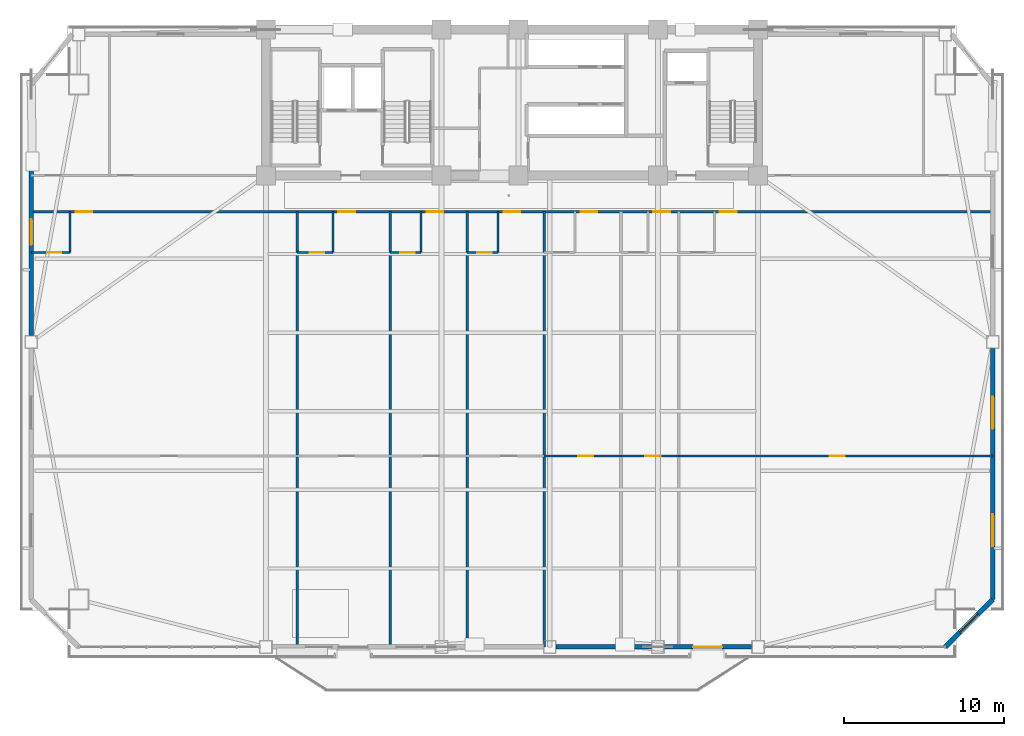
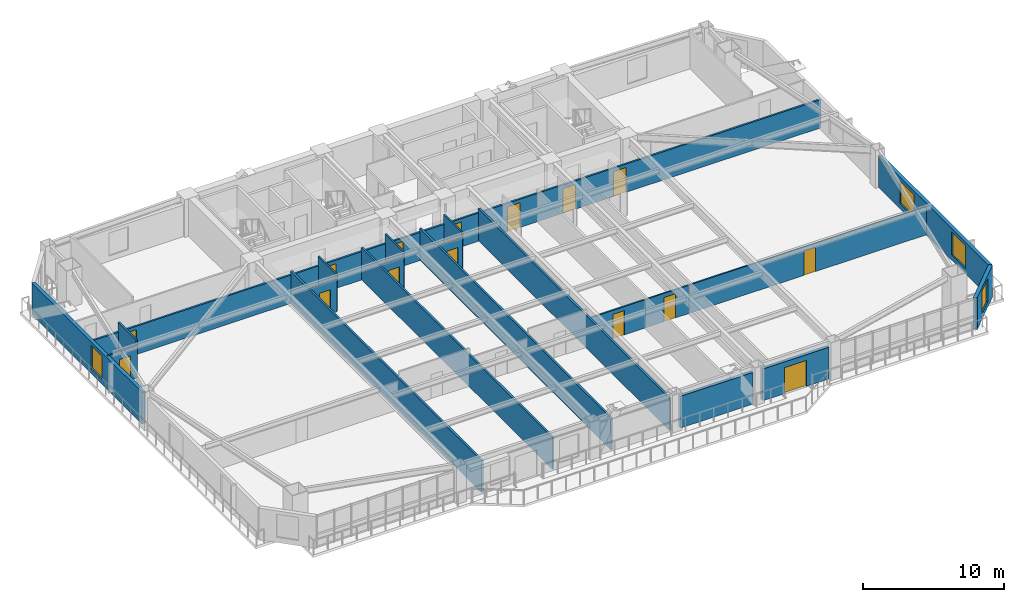
# One storey, part 8 of 17: 21 walls, 15 doors, 4 windows, 19 openings.
"""IFC4 building model written with IfcOpenShell, lengths in metres."""

from ifc_helpers import new_model, si_unit, direction, frame, frame_2d, origin, place, context, subcontext, project, spatial, rectangle, extrude, source, transform, mapped, material, layer, layer_set, type_object, element, fill, save


model = new_model("IFC4")

# Units and contexts
model_context = context("Model", 3, precision=1e-05, world=origin(), true_north=direction((0.0, 1.0)))
body_context = subcontext(model_context, "Body", "Model", "MODEL_VIEW")
ifc_project = project(units=[si_unit("LENGTHUNIT", "METRE"), si_unit("AREAUNIT", "SQUARE_METRE"), si_unit("VOLUMEUNIT", "CUBIC_METRE"), si_unit("PLANEANGLEUNIT", "RADIAN"), si_unit("MASSUNIT", "GRAM", prefix="KILO")], contexts=[model_context])

# Site, building, storey
site_placement = place(None, origin())
site = spatial("IfcSite", under=ifc_project, at=site_placement, CompositionType="ELEMENT")
building_placement = place(site_placement, origin())
building = spatial("IfcBuilding", under=site, at=building_placement, Name="Giltprow Tower", CompositionType="ELEMENT")
storey_placement = place(building_placement, frame((0.0, 0.0, 137.699951171875)))
storey = spatial("IfcBuildingStorey", under=building, at=storey_placement, Name="L33", CompositionType="ELEMENT", Elevation=137.699951171875)

# Wall, opening, window
ifc_material_1 = material(Name="Precast concrete C40", Category="concrete")
ifc_layer_1 = layer(ifc_material_1, 0.300048828125, Name="Precast concrete C40")
ifc_layer_set_1 = layer_set([ifc_layer_1], Name="Precast concrete C40")
wall_type_1 = type_object("IfcWallType", Name="EW-NOTCH-CHAMFER-300", PredefinedType="SOLIDWALL", material=ifc_layer_set_1)
wall_1_placement = place(storey_placement, frame((62.220947265625, 8.044921875, 0.0), z_axis=(0.0, 0.0, 1.0), x_axis=(0.707106781187, 0.707106781187, 0.0)))
wall_1 = element("IfcWall", 1, at=wall_1_placement, inside=storey, type_object=wall_type_1, Name="L33 Corner Notch Wall SE", PredefinedType="SOLIDWALL", context=body_context, shape_type="SweptSolid", body=[
    extrude(rectangle(XDim=4.193359375, YDim=0.300048828125, at=frame_2d((2.0966796875, 0.0))), origin(), (0.0, 0.0, 1.0), 2.75),
])
opening_1_placement = place(wall_1_placement, frame((1.297119140625, 0.0, 0.449951171875)))
opening_1 = element("IfcOpeningElement", 2, at=opening_1_placement, cuts=wall_1, Name="Opening WN17", PredefinedType="OPENING", context=body_context, shape_type="SweptSolid", body=[
    extrude(rectangle(XDim=1.60009765625, YDim=2.0, at=frame_2d((0.800048828125, 1.0))), frame((0.0, 0.159912109375, 0.0), z_axis=(0.0, -1.0, 0.0), x_axis=(1.0, 0.0, 0.0)), (0.0, 0.0, 1.0), 0.320068359375),
])
ifc_material_2 = material(Name="Insulated glass", Category="glass")
window_type_1 = type_object("IfcWindowType", Name="WN-COR-1600x2000", PartitioningType="SINGLE_PANEL", PredefinedType="WINDOW", material=ifc_material_2)
shared_shape_1 = source(origin(), body_context, "Body", "SweptSolid", [
    extrude(rectangle(XDim=1.60009765625, YDim=2.0, at=frame_2d((0.800048828125, 1.0))), frame((0.0, 0.030029296875, 0.0), z_axis=(0.0, -1.0, 0.0), x_axis=(1.0, 0.0, 0.0)), (0.0, 0.0, 1.0), 0.06005859375),
])
window_1_placement = place(opening_1_placement, origin())
window_1 = element("IfcWindow", 3, at=window_1_placement, inside=storey, type_object=window_type_1, Name="L33 Corner Notch Window SE", OverallHeight=2.0, OverallWidth=1.60009765625, PartitioningType="SINGLE_PANEL", PredefinedType="WINDOW", context=body_context, shape_type="MappedRepresentation", body=[
    mapped(shared_shape_1, transform((0.0, 0.0, 0.0), x_axis=(1.0, 0.0, 0.0), y_axis=(0.0, 1.0, 0.0), z_axis=(0.0, 0.0, 1.0), scale=1.0)),
])
fill(opening_1, window_1)

# Wall
ifc_layer_2 = layer(ifc_material_1, 0.280029296875, Name="Precast concrete C40")
ifc_layer_set_2 = layer_set([ifc_layer_2], Name="Precast concrete C40")
wall_type_2 = type_object("IfcWallType", Name="EW-TOW-BRONZE-280", PredefinedType="SOLIDWALL", material=ifc_layer_set_2)
wall_2_placement = place(storey_placement, frame((37.949951171875, 8.044921875, 0.0), z_axis=(0.0, 0.0, 1.0), x_axis=(1.0, 0.0, 0.0)))
element("IfcWall", 4, at=wall_2_placement, inside=storey, type_object=wall_type_2, Name="L33 South Expressed Frame Wall 4", PredefinedType="SOLIDWALL", context=body_context, shape_type="SweptSolid", body=[
    extrude(rectangle(XDim=5.949951171875, YDim=0.280029296875, at=frame_2d((2.97509765625, 0.0))), origin(), (0.0, 0.0, 1.0), 2.75),
])

# Wall, opening, door
wall_3_placement = place(storey_placement, frame((44.699951171875, 8.044921875, 0.0), z_axis=(0.0, 0.0, 1.0), x_axis=(1.0, 0.0, 0.0)))
wall_3 = element("IfcWall", 5, at=wall_3_placement, inside=storey, type_object=wall_type_2, Name="L33 South Expressed Frame Wall 5", PredefinedType="SOLIDWALL", context=body_context, shape_type="SweptSolid", body=[
    extrude(rectangle(XDim=5.449951171875, YDim=0.280029296875, at=frame_2d((2.72509765625, 0.0))), origin(), (0.0, 0.0, 1.0), 2.75),
])
opening_2_placement = place(wall_3_placement, frame((1.800048828125, 0.0, 0.0)))
opening_2 = element("IfcOpeningElement", 6, at=opening_2_placement, cuts=wall_3, Name="Opening ED25", PredefinedType="OPENING", context=body_context, shape_type="SweptSolid", body=[
    extrude(rectangle(XDim=1.800048828125, YDim=2.25, at=frame_2d((0.89990234375, 1.125))), frame((0.0, 0.14990234375, 0.0), z_axis=(0.0, -1.0, 0.0), x_axis=(1.0, 0.0, 0.0)), (0.0, 0.0, 1.0), 0.300048828125),
])
ifc_material_3 = material(Name="Anodized bronze and glass", Category="glass")
door_type_1 = type_object("IfcDoorType", Name="DR-BALC-SLIDE-1800", OperationType="SLIDING_TO_LEFT", PredefinedType="DOOR", material=ifc_material_3)
shared_shape_2 = source(origin(), body_context, "Body", "SweptSolid", [
    extrude(rectangle(XDim=1.800048828125, YDim=2.25, at=frame_2d((0.89990234375, 1.125))), frame((0.0, 0.02490234375, 0.0), z_axis=(0.0, -1.0, 0.0), x_axis=(1.0, 0.0, 0.0)), (0.0, 0.0, 1.0), 0.050048828125),
])
door_1_placement = place(opening_2_placement, origin())
door_1 = element("IfcDoor", 7, at=door_1_placement, inside=storey, type_object=door_type_1, Name="L33 Waterfront Balcony Sliding Door 2", OperationType="SLIDING_TO_LEFT", OverallHeight=2.25, OverallWidth=1.800048828125, PredefinedType="DOOR", context=body_context, shape_type="MappedRepresentation", body=[
    mapped(shared_shape_2, transform((0.0, 0.0, 0.0), x_axis=(1.0, 0.0, 0.0), y_axis=(0.0, 1.0, 0.0), z_axis=(0.0, 0.0, 1.0), scale=1.0)),
])
fill(opening_2, door_1)

# Wall, opening, window
wall_4_placement = place(storey_placement, frame((5.214111328125, 27.471923828125, 0.0), z_axis=(0.0, 0.0, 1.0), x_axis=(0.0, 1.0, 0.0)))
wall_4 = element("IfcWall", 8, at=wall_4_placement, inside=storey, type_object=wall_type_2, Name="L33 W Wing Masonry Wall 2", PredefinedType="SOLIDWALL", context=body_context, shape_type="SweptSolid", body=[
    extrude(rectangle(XDim=15.662109375, YDim=0.280029296875, at=frame_2d((7.8310546875, 0.0))), origin(), (0.0, 0.0, 1.0), 2.75),
])
opening_3_placement = place(wall_4_placement, frame((5.64794921875, 0.0, 0.449951171875)))
opening_3 = element("IfcOpeningElement", 9, at=opening_3_placement, cuts=wall_4, Name="Opening WN17", PredefinedType="OPENING", context=body_context, shape_type="SweptSolid", body=[
    extrude(rectangle(XDim=1.60009765625, YDim=2.0, at=frame_2d((0.800048828125, 1.0))), frame((0.0, 0.14990234375, 0.0), z_axis=(0.0, -1.0, 0.0), x_axis=(1.0, 0.0, 0.0)), (0.0, 0.0, 1.0), 0.300048828125),
])
window_2_placement = place(opening_3_placement, origin())
window_2 = element("IfcWindow", 10, at=window_2_placement, inside=storey, type_object=window_type_1, Name="L33 W Wing Window 2-1", OverallHeight=2.0, OverallWidth=1.60009765625, PartitioningType="SINGLE_PANEL", PredefinedType="WINDOW", context=body_context, shape_type="MappedRepresentation", body=[
    mapped(shared_shape_1, transform((0.0, 0.0, 0.0), x_axis=(1.0, 0.0, 0.0), y_axis=(0.0, 1.0, 0.0), z_axis=(0.0, 0.0, 1.0), scale=1.0)),
])
fill(opening_3, window_2)

# Wall, openings, windows
wall_5_placement = place(storey_placement, frame((65.18603515625, 11.010009765625, 0.0), z_axis=(0.0, 0.0, 1.0), x_axis=(0.0, 1.0, 0.0)))
wall_5 = element("IfcWall", 11, at=wall_5_placement, inside=storey, type_object=wall_type_2, Name="L33 E Wing Masonry Wall 1", PredefinedType="SOLIDWALL", context=body_context, shape_type="SweptSolid", body=[
    extrude(rectangle(XDim=15.662109375, YDim=0.280029296875, at=frame_2d((7.8310546875, 0.0))), origin(), (0.0, 0.0, 1.0), 2.75),
])
opening_4_placement = place(wall_5_placement, frame((3.31201171875, 0.0, 0.449951171875)))
opening_4 = element("IfcOpeningElement", 12, at=opening_4_placement, cuts=wall_5, Name="Opening WN21", PredefinedType="OPENING", context=body_context, shape_type="SweptSolid", body=[
    extrude(rectangle(XDim=2.0, YDim=2.0, at=frame_2d((1.0, 1.0))), frame((0.0, 0.14990234375, 0.0), z_axis=(0.0, -1.0, 0.0), x_axis=(1.0, 0.0, 0.0)), (0.0, 0.0, 1.0), 0.300048828125),
])
opening_5_placement = place(wall_5_placement, frame((10.64306640625, 0.0, 0.449951171875)))
opening_5 = element("IfcOpeningElement", 13, at=opening_5_placement, cuts=wall_5, Name="Opening WN21", PredefinedType="OPENING", context=body_context, shape_type="SweptSolid", body=[
    extrude(rectangle(XDim=2.0, YDim=2.0, at=frame_2d((1.0, 1.0))), frame((0.0, 0.14990234375, 0.0), z_axis=(0.0, -1.0, 0.0), x_axis=(1.0, 0.0, 0.0)), (0.0, 0.0, 1.0), 0.300048828125),
])
window_type_2 = type_object("IfcWindowType", Name="WN-HTL-2000x2000", PartitioningType="DOUBLE_PANEL_VERTICAL", PredefinedType="WINDOW", material=ifc_material_2)
shared_shape_3 = source(origin(), body_context, "Body", "SweptSolid", [
    extrude(rectangle(XDim=2.0, YDim=2.0, at=frame_2d((1.0, 1.0))), frame((0.0, 0.030029296875, 0.0), z_axis=(0.0, -1.0, 0.0), x_axis=(1.0, 0.0, 0.0)), (0.0, 0.0, 1.0), 0.06005859375),
])
window_3_placement = place(opening_4_placement, origin())
window_3 = element("IfcWindow", 14, at=window_3_placement, inside=storey, type_object=window_type_2, Name="L33 E Wing Window 1-1A", OverallHeight=2.0, OverallWidth=2.0, PartitioningType="SINGLE_PANEL", PredefinedType="WINDOW", context=body_context, shape_type="MappedRepresentation", body=[
    mapped(shared_shape_3, transform((0.0, 0.0, 0.0), x_axis=(1.0, 0.0, 0.0), y_axis=(0.0, 1.0, 0.0), z_axis=(0.0, 0.0, 1.0), scale=1.0)),
])
fill(opening_4, window_3)
window_4_placement = place(opening_5_placement, origin())
window_4 = element("IfcWindow", 15, at=window_4_placement, inside=storey, type_object=window_type_2, Name="L33 E Wing Window 1-1B", OverallHeight=2.0, OverallWidth=2.0, PartitioningType="SINGLE_PANEL", PredefinedType="WINDOW", context=body_context, shape_type="MappedRepresentation", body=[
    mapped(shared_shape_3, transform((0.0, 0.0, 0.0), x_axis=(1.0, 0.0, 0.0), y_axis=(0.0, 1.0, 0.0), z_axis=(0.0, 0.0, 1.0), scale=1.0)),
])
fill(opening_5, window_4)

# Wall, openings, doors
ifc_material_4 = material(Name="Gypsum stud partition", Category="gypsum")
ifc_layer_3 = layer(ifc_material_4, 0.14990234375, Name="Gypsum stud partition")
ifc_layer_set_3 = layer_set([ifc_layer_3], Name="Gypsum stud partition")
wall_type_3 = type_object("IfcWallType", Name="IW-CORR-150", PredefinedType="PARTITIONING", material=ifc_layer_set_3)
wall_6_placement = place(storey_placement, frame((5.214111328125, 35.199951171875, 0.0), z_axis=(0.0, 0.0, 1.0), x_axis=(1.0, 0.0, 0.0)))
wall_6 = element("IfcWall", 16, at=wall_6_placement, inside=storey, type_object=wall_type_3, Name="L33 Hotel Guestroom Corridor Wall", PredefinedType="PARTITIONING", context=body_context, shape_type="SweptSolid", body=[
    extrude(rectangle(XDim=59.971923828125, YDim=0.14990234375, at=frame_2d((29.98583984375, 0.0))), origin(), (0.0, 0.0, 1.0), 2.455078125),
])
opening_6_placement = place(wall_6_placement, frame((2.77001953125, 0.0, 0.0)))
opening_6 = element("IfcOpeningElement", 17, at=opening_6_placement, cuts=wall_6, Name="Opening ID31", PredefinedType="OPENING", context=body_context, shape_type="SweptSolid", body=[
    extrude(rectangle(XDim=1.050048828125, YDim=2.14990234375, at=frame_2d((0.52490234375, 1.074951171875))), frame((0.0, 0.0849609375, 0.0), z_axis=(0.0, -1.0, 0.0), x_axis=(1.0, 0.0, 0.0)), (0.0, 0.0, 1.0), 0.169921875),
])
opening_7_placement = place(wall_6_placement, frame((19.156005859375, 0.0, 0.0)))
opening_7 = element("IfcOpeningElement", 18, at=opening_7_placement, cuts=wall_6, Name="Opening ID31", PredefinedType="OPENING", context=body_context, shape_type="SweptSolid", body=[
    extrude(rectangle(XDim=1.050048828125, YDim=2.14990234375, at=frame_2d((0.52490234375, 1.074951171875))), frame((0.0, 0.0849609375, 0.0), z_axis=(0.0, -1.0, 0.0), x_axis=(1.0, 0.0, 0.0)), (0.0, 0.0, 1.0), 0.169921875),
])
opening_8_placement = place(wall_6_placement, frame((24.662109375, 0.0, 0.0)))
opening_8 = element("IfcOpeningElement", 19, at=opening_8_placement, cuts=wall_6, Name="Opening ID31", PredefinedType="OPENING", context=body_context, shape_type="SweptSolid", body=[
    extrude(rectangle(XDim=1.050048828125, YDim=2.14990234375, at=frame_2d((0.52490234375, 1.074951171875))), frame((0.0, 0.0849609375, 0.0), z_axis=(0.0, -1.0, 0.0), x_axis=(1.0, 0.0, 0.0)), (0.0, 0.0, 1.0), 0.169921875),
])
opening_9_placement = place(wall_6_placement, frame((29.4619140625, 0.0, 0.0)))
opening_9 = element("IfcOpeningElement", 20, at=opening_9_placement, cuts=wall_6, Name="Opening ID31", PredefinedType="OPENING", context=body_context, shape_type="SweptSolid", body=[
    extrude(rectangle(XDim=1.050048828125, YDim=2.14990234375, at=frame_2d((0.52490234375, 1.074951171875))), frame((0.0, 0.0849609375, 0.0), z_axis=(0.0, -1.0, 0.0), x_axis=(1.0, 0.0, 0.0)), (0.0, 0.0, 1.0), 0.169921875),
])
opening_10_placement = place(wall_6_placement, frame((34.261962890625, 0.0, 0.0)))
opening_10 = element("IfcOpeningElement", 21, at=opening_10_placement, cuts=wall_6, Name="Opening ID31", PredefinedType="OPENING", context=body_context, shape_type="SweptSolid", body=[
    extrude(rectangle(XDim=1.050048828125, YDim=2.14990234375, at=frame_2d((0.52490234375, 1.074951171875))), frame((0.0, 0.0849609375, 0.0), z_axis=(0.0, -1.0, 0.0), x_axis=(1.0, 0.0, 0.0)), (0.0, 0.0, 1.0), 0.169921875),
])
opening_11_placement = place(wall_6_placement, frame((38.805908203125, 0.0, 0.0)))
opening_11 = element("IfcOpeningElement", 22, at=opening_11_placement, cuts=wall_6, Name="Opening ID31", PredefinedType="OPENING", context=body_context, shape_type="SweptSolid", body=[
    extrude(rectangle(XDim=1.050048828125, YDim=2.14990234375, at=frame_2d((0.52490234375, 1.074951171875))), frame((0.0, 0.0849609375, 0.0), z_axis=(0.0, -1.0, 0.0), x_axis=(1.0, 0.0, 0.0)), (0.0, 0.0, 1.0), 0.169921875),
])
opening_12_placement = place(wall_6_placement, frame((42.9560546875, 0.0, 0.0)))
opening_12 = element("IfcOpeningElement", 23, at=opening_12_placement, cuts=wall_6, Name="Opening ID31", PredefinedType="OPENING", context=body_context, shape_type="SweptSolid", body=[
    extrude(rectangle(XDim=1.050048828125, YDim=2.14990234375, at=frame_2d((0.52490234375, 1.074951171875))), frame((0.0, 0.0849609375, 0.0), z_axis=(0.0, -1.0, 0.0), x_axis=(1.0, 0.0, 0.0)), (0.0, 0.0, 1.0), 0.169921875),
])
ifc_material_5 = material(Name="Engineered timber", Category="wood")
door_type_2 = type_object("IfcDoorType", Name="DR-SUITE-1050", OperationType="SINGLE_SWING_LEFT", PredefinedType="DOOR", material=ifc_material_5)
shared_shape_4 = source(origin(), body_context, "Body", "SweptSolid", [
    extrude(rectangle(XDim=1.050048828125, YDim=2.14990234375, at=frame_2d((0.52490234375, 1.074951171875))), frame((0.0, 0.02490234375, 0.0), z_axis=(0.0, -1.0, 0.0), x_axis=(1.0, 0.0, 0.0)), (0.0, 0.0, 1.0), 0.050048828125),
])
door_2_placement = place(opening_6_placement, origin())
door_2 = element("IfcDoor", 24, at=door_2_placement, inside=storey, type_object=door_type_2, Name="L33 Hotel Room 1 Entry Door", OperationType="SINGLE_SWING_RIGHT", OverallHeight=2.14990234375, OverallWidth=1.050048828125, PredefinedType="DOOR", context=body_context, shape_type="MappedRepresentation", body=[
    mapped(shared_shape_4, transform((0.0, 0.0, 0.0), x_axis=(1.0, 0.0, 0.0), y_axis=(0.0, 1.0, 0.0), z_axis=(0.0, 0.0, 1.0), scale=1.0)),
])
fill(opening_6, door_2)
door_3_placement = place(opening_7_placement, origin())
door_3 = element("IfcDoor", 25, at=door_3_placement, inside=storey, type_object=door_type_2, Name="L33 Hotel Room 2 Entry Door", OperationType="SINGLE_SWING_LEFT", OverallHeight=2.14990234375, OverallWidth=1.050048828125, PredefinedType="DOOR", context=body_context, shape_type="MappedRepresentation", body=[
    mapped(shared_shape_4, transform((0.0, 0.0, 0.0), x_axis=(1.0, 0.0, 0.0), y_axis=(0.0, 1.0, 0.0), z_axis=(0.0, 0.0, 1.0), scale=1.0)),
])
fill(opening_7, door_3)
door_4_placement = place(opening_8_placement, origin())
door_4 = element("IfcDoor", 26, at=door_4_placement, inside=storey, type_object=door_type_2, Name="L33 Hotel Room 3 Entry Door", OperationType="SINGLE_SWING_RIGHT", OverallHeight=2.14990234375, OverallWidth=1.050048828125, PredefinedType="DOOR", context=body_context, shape_type="MappedRepresentation", body=[
    mapped(shared_shape_4, transform((0.0, 0.0, 0.0), x_axis=(1.0, 0.0, 0.0), y_axis=(0.0, 1.0, 0.0), z_axis=(0.0, 0.0, 1.0), scale=1.0)),
])
fill(opening_8, door_4)
door_5_placement = place(opening_9_placement, origin())
door_5 = element("IfcDoor", 27, at=door_5_placement, inside=storey, type_object=door_type_2, Name="L33 Hotel Room 4 Entry Door", OperationType="SINGLE_SWING_LEFT", OverallHeight=2.14990234375, OverallWidth=1.050048828125, PredefinedType="DOOR", context=body_context, shape_type="MappedRepresentation", body=[
    mapped(shared_shape_4, transform((0.0, 0.0, 0.0), x_axis=(1.0, 0.0, 0.0), y_axis=(0.0, 1.0, 0.0), z_axis=(0.0, 0.0, 1.0), scale=1.0)),
])
fill(opening_9, door_5)
door_6_placement = place(opening_10_placement, origin())
door_6 = element("IfcDoor", 28, at=door_6_placement, inside=storey, type_object=door_type_2, Name="L33 Hotel Room 5 Entry Door", OperationType="SINGLE_SWING_RIGHT", OverallHeight=2.14990234375, OverallWidth=1.050048828125, PredefinedType="DOOR", context=body_context, shape_type="MappedRepresentation", body=[
    mapped(shared_shape_4, transform((0.0, 0.0, 0.0), x_axis=(1.0, 0.0, 0.0), y_axis=(0.0, 1.0, 0.0), z_axis=(0.0, 0.0, 1.0), scale=1.0)),
])
fill(opening_10, door_6)
door_7_placement = place(opening_11_placement, origin())
door_7 = element("IfcDoor", 29, at=door_7_placement, inside=storey, type_object=door_type_2, Name="L33 Hotel Room 6 Entry Door", OperationType="SINGLE_SWING_LEFT", OverallHeight=2.14990234375, OverallWidth=1.050048828125, PredefinedType="DOOR", context=body_context, shape_type="MappedRepresentation", body=[
    mapped(shared_shape_4, transform((0.0, 0.0, 0.0), x_axis=(1.0, 0.0, 0.0), y_axis=(0.0, 1.0, 0.0), z_axis=(0.0, 0.0, 1.0), scale=1.0)),
])
fill(opening_11, door_7)
door_8_placement = place(opening_12_placement, origin())
door_8 = element("IfcDoor", 30, at=door_8_placement, inside=storey, type_object=door_type_2, Name="L33 Hotel Room 7 Entry Door", OperationType="SINGLE_SWING_RIGHT", OverallHeight=2.14990234375, OverallWidth=1.050048828125, PredefinedType="DOOR", context=body_context, shape_type="MappedRepresentation", body=[
    mapped(shared_shape_4, transform((0.0, 0.0, 0.0), x_axis=(1.0, 0.0, 0.0), y_axis=(0.0, 1.0, 0.0), z_axis=(0.0, 0.0, 1.0), scale=1.0)),
])
fill(opening_12, door_8)

# Walls
ifc_layer_4 = layer(ifc_material_4, 0.159912109375, Name="Gypsum stud partition")
ifc_layer_set_4 = layer_set([ifc_layer_4], Name="Gypsum stud partition")
wall_type_4 = type_object("IfcWallType", Name="IW-DEMISE-160", PredefinedType="PARTITIONING", material=ifc_layer_set_4)
for number, where, z_axis, x_axis, name in (
    (31, (21.800048828125, 8.044921875, 0.0), (0.0, 0.0, 1.0), (0.0, 1.0, 0.0), "L33 Hotel Demising Wall 1"),
    (32, (27.60009765625, 8.044921875, 0.0), (0.0, 0.0, 1.0), (0.0, 1.0, 0.0), "L33 Hotel Demising Wall 2"),
    (33, (32.39990234375, 8.044921875, 0.0), (0.0, 0.0, 1.0), (0.0, 1.0, 0.0), "L33 Hotel Demising Wall 3"),
):
    element("IfcWall", number, at=place(storey_placement, frame(where, z_axis=z_axis, x_axis=x_axis)), inside=storey, type_object=wall_type_4, Name=name, PredefinedType="PARTITIONING", context=body_context, shape_type="SweptSolid", body=[
        extrude(rectangle(XDim=27.155029296875, YDim=0.159912109375, at=frame_2d((13.57763671875, 0.0))), origin(), (0.0, 0.0, 1.0), 2.755126953125),
    ])
wall_7_placement = place(storey_placement, frame((37.199951171875, 8.044921875, 0.0), z_axis=(0.0, 0.0, 1.0), x_axis=(0.0, 1.0, 0.0)))
element("IfcWall", 34, at=wall_7_placement, inside=storey, type_object=wall_type_4, Name="L33 Hotel Demising Wall 4", PredefinedType="PARTITIONING", context=body_context, shape_type="SweptSolid", body=[
    extrude(rectangle(XDim=27.155029296875, YDim=0.159912109375, at=frame_2d((13.57763671875, 0.0))), origin(), (0.0, 0.0, 1.0), 2.804931640625),
])

# Wall, opening, door
ifc_layer_5 = layer(ifc_material_4, 0.1201171875, Name="Gypsum stud partition")
ifc_layer_set_5 = layer_set([ifc_layer_5], Name="Gypsum stud partition")
wall_type_5 = type_object("IfcWallType", Name="IW-ROOM-120", PredefinedType="PARTITIONING", material=ifc_layer_set_5)
wall_8_placement = place(storey_placement, frame((37.199951171875, 19.958984375, 0.0), z_axis=(0.0, 0.0, 1.0), x_axis=(1.0, 0.0, 0.0)))
wall_8 = element("IfcWall", 35, at=wall_8_placement, inside=storey, type_object=wall_type_5, Name="L33 Suite Parlour Divider 5", PredefinedType="PARTITIONING", context=body_context, shape_type="SweptSolid", body=[
    extrude(rectangle(XDim=4.800048828125, YDim=0.1201171875, at=frame_2d((2.39990234375, 0.0))), origin(), (0.0, 0.0, 1.0), 2.455078125),
])
opening_13_placement = place(wall_8_placement, frame((2.125, 0.0, 0.0)))
opening_13 = element("IfcOpeningElement", 36, at=opening_13_placement, cuts=wall_8, Name="Opening ID11", PredefinedType="OPENING", context=body_context, shape_type="SweptSolid", body=[
    extrude(rectangle(XDim=0.949951171875, YDim=2.10009765625, at=frame_2d((0.47509765625, 1.050048828125))), frame((0.0, 0.070068359375, 0.0), z_axis=(0.0, -1.0, 0.0), x_axis=(1.0, 0.0, 0.0)), (0.0, 0.0, 1.0), 0.14013671875),
])
door_type_3 = type_object("IfcDoorType", Name="DR-ROOM-950", OperationType="SINGLE_SWING_RIGHT", PredefinedType="DOOR", material=ifc_material_5)
shared_shape_5 = source(origin(), body_context, "Body", "SweptSolid", [
    extrude(rectangle(XDim=0.949951171875, YDim=2.10009765625, at=frame_2d((0.47509765625, 1.050048828125))), frame((0.0, 0.02490234375, 0.0), z_axis=(0.0, -1.0, 0.0), x_axis=(1.0, 0.0, 0.0)), (0.0, 0.0, 1.0), 0.050048828125),
])
door_9_placement = place(opening_13_placement, origin())
door_9 = element("IfcDoor", 37, at=door_9_placement, inside=storey, type_object=door_type_3, Name="L33 Harbour Parlour 5 Door", OperationType="SINGLE_SWING_RIGHT", OverallHeight=2.10009765625, OverallWidth=0.949951171875, PredefinedType="DOOR", context=body_context, shape_type="MappedRepresentation", body=[
    mapped(shared_shape_5, transform((0.0, 0.0, 0.0), x_axis=(1.0, 0.0, 0.0), y_axis=(0.0, 1.0, 0.0), z_axis=(0.0, 0.0, 1.0), scale=1.0)),
])
fill(opening_13, door_9)

wall_9_placement = place(storey_placement, frame((42.0, 19.958984375, 0.0), z_axis=(0.0, 0.0, 1.0), x_axis=(1.0, 0.0, 0.0)))
wall_9 = element("IfcWall", 38, at=wall_9_placement, inside=storey, type_object=wall_type_5, Name="L33 Suite Parlour Divider 6", PredefinedType="PARTITIONING", context=body_context, shape_type="SweptSolid", body=[
    extrude(rectangle(XDim=3.60009765625, YDim=0.1201171875, at=frame_2d((1.800048828125, 0.0))), origin(), (0.0, 0.0, 1.0), 2.455078125),
])
opening_14_placement = place(wall_9_placement, frame((1.52490234375, 0.0, 0.0)))
opening_14 = element("IfcOpeningElement", 39, at=opening_14_placement, cuts=wall_9, Name="Opening ID11", PredefinedType="OPENING", context=body_context, shape_type="SweptSolid", body=[
    extrude(rectangle(XDim=0.949951171875, YDim=2.10009765625, at=frame_2d((0.47509765625, 1.050048828125))), frame((0.0, 0.070068359375, 0.0), z_axis=(0.0, -1.0, 0.0), x_axis=(1.0, 0.0, 0.0)), (0.0, 0.0, 1.0), 0.14013671875),
])
door_10_placement = place(opening_14_placement, origin())
door_10 = element("IfcDoor", 40, at=door_10_placement, inside=storey, type_object=door_type_3, Name="L33 Harbour Parlour 6 Door", OperationType="SINGLE_SWING_LEFT", OverallHeight=2.10009765625, OverallWidth=0.949951171875, PredefinedType="DOOR", context=body_context, shape_type="MappedRepresentation", body=[
    mapped(shared_shape_5, transform((0.0, 0.0, 0.0), x_axis=(1.0, 0.0, 0.0), y_axis=(0.0, 1.0, 0.0), z_axis=(0.0, 0.0, 1.0), scale=1.0)),
])
fill(opening_14, door_10)

wall_10_placement = place(storey_placement, frame((45.60009765625, 19.958984375, 0.0), z_axis=(0.0, 0.0, 1.0), x_axis=(1.0, 0.0, 0.0)))
wall_10 = element("IfcWall", 41, at=wall_10_placement, inside=storey, type_object=wall_type_5, Name="L33 Suite Parlour Divider 7", PredefinedType="PARTITIONING", context=body_context, shape_type="SweptSolid", body=[
    extrude(rectangle(XDim=19.5859375, YDim=0.1201171875, at=frame_2d((9.79296875, 0.0))), origin(), (0.0, 0.0, 1.0), 2.455078125),
])
opening_15_placement = place(wall_10_placement, frame((9.41796875, 0.0, 0.0)))
opening_15 = element("IfcOpeningElement", 42, at=opening_15_placement, cuts=wall_10, Name="Opening ID11", PredefinedType="OPENING", context=body_context, shape_type="SweptSolid", body=[
    extrude(rectangle(XDim=0.949951171875, YDim=2.10009765625, at=frame_2d((0.47509765625, 1.050048828125))), frame((0.0, 0.070068359375, 0.0), z_axis=(0.0, -1.0, 0.0), x_axis=(1.0, 0.0, 0.0)), (0.0, 0.0, 1.0), 0.14013671875),
])
door_11_placement = place(opening_15_placement, origin())
door_11 = element("IfcDoor", 43, at=door_11_placement, inside=storey, type_object=door_type_3, Name="L33 Harbour Parlour 7 Door", OperationType="SINGLE_SWING_RIGHT", OverallHeight=2.10009765625, OverallWidth=0.949951171875, PredefinedType="DOOR", context=body_context, shape_type="MappedRepresentation", body=[
    mapped(shared_shape_5, transform((0.0, 0.0, 0.0), x_axis=(1.0, 0.0, 0.0), y_axis=(0.0, 1.0, 0.0), z_axis=(0.0, 0.0, 1.0), scale=1.0)),
])
fill(opening_15, door_11)

ifc_material_6 = material(Name="Concrete C30", Category="concrete")
ifc_layer_6 = layer(ifc_material_6, 0.1298828125, Name="Concrete C30")
ifc_layer_set_6 = layer_set([ifc_layer_6], Name="Concrete C30")
wall_type_6 = type_object("IfcWallType", Name="IW-WET-130", PredefinedType="PARTITIONING", material=ifc_layer_set_6)
wall_11_placement = place(storey_placement, frame((5.214111328125, 32.64990234375, 0.0), z_axis=(0.0, 0.0, 1.0), x_axis=(1.0, 0.0, 0.0)))
wall_11 = element("IfcWall", 44, at=wall_11_placement, inside=storey, type_object=wall_type_6, Name="L33 En-Suite South Wall 1", PredefinedType="PARTITIONING", context=body_context, shape_type="SweptSolid", body=[
    extrude(rectangle(XDim=2.429931640625, YDim=0.1298828125, at=frame_2d((1.21484375, 0.0))), origin(), (0.0, 0.0, 1.0), 2.755126953125),
])
opening_16_placement = place(wall_11_placement, frame((0.985107421875, 0.0, 0.0)))
opening_16 = element("IfcOpeningElement", 45, at=opening_16_placement, cuts=wall_11, Name="Opening ID15", PredefinedType="OPENING", context=body_context, shape_type="SweptSolid", body=[
    extrude(rectangle(XDim=0.89990234375, YDim=2.10009765625, at=frame_2d((0.449951171875, 1.050048828125))), frame((0.0, 0.074951171875, 0.0), z_axis=(0.0, -1.0, 0.0), x_axis=(1.0, 0.0, 0.0)), (0.0, 0.0, 1.0), 0.14990234375),
])
door_type_4 = type_object("IfcDoorType", Name="DR-WC-900", OperationType="SINGLE_SWING_LEFT", PredefinedType="DOOR", material=ifc_material_5)
shared_shape_6 = source(origin(), body_context, "Body", "SweptSolid", [
    extrude(rectangle(XDim=0.89990234375, YDim=2.10009765625, at=frame_2d((0.449951171875, 1.050048828125))), frame((0.0, 0.02490234375, 0.0), z_axis=(0.0, -1.0, 0.0), x_axis=(1.0, 0.0, 0.0)), (0.0, 0.0, 1.0), 0.050048828125),
])
door_12_placement = place(opening_16_placement, origin())
door_12 = element("IfcDoor", 46, at=door_12_placement, inside=storey, type_object=door_type_4, Name="L33 En-Suite 1 Door", OperationType="SINGLE_SWING_LEFT", OverallHeight=2.10009765625, OverallWidth=0.89990234375, PredefinedType="DOOR", context=body_context, shape_type="MappedRepresentation", body=[
    mapped(shared_shape_6, transform((0.0, 0.0, 0.0), x_axis=(1.0, 0.0, 0.0), y_axis=(0.0, 1.0, 0.0), z_axis=(0.0, 0.0, 1.0), scale=1.0)),
])
fill(opening_16, door_12)

# Wall
wall_12_placement = place(storey_placement, frame((7.64404296875, 32.64990234375, 0.0), z_axis=(0.0, 0.0, 1.0), x_axis=(0.0, 1.0, 0.0)))
element("IfcWall", 47, at=wall_12_placement, inside=storey, type_object=wall_type_6, Name="L33 En-Suite East Wall 1", PredefinedType="PARTITIONING", context=body_context, shape_type="SweptSolid", body=[
    extrude(rectangle(XDim=2.550048828125, YDim=0.1298828125, at=frame_2d((1.27490234375, 0.0))), origin(), (0.0, 0.0, 1.0), 3.27001953125),
])

# Wall, opening, door
wall_13_placement = place(storey_placement, frame((21.800048828125, 32.64990234375, 0.0), z_axis=(0.0, 0.0, 1.0), x_axis=(1.0, 0.0, 0.0)))
wall_13 = element("IfcWall", 48, at=wall_13_placement, inside=storey, type_object=wall_type_6, Name="L33 En-Suite South Wall 2", PredefinedType="PARTITIONING", context=body_context, shape_type="SweptSolid", body=[
    extrude(rectangle(XDim=2.22998046875, YDim=0.1298828125, at=frame_2d((1.114990234375, 0.0))), origin(), (0.0, 0.0, 1.0), 2.804931640625),
])
opening_17_placement = place(wall_13_placement, frame((0.784912109375, 0.0, 0.0)))
opening_17 = element("IfcOpeningElement", 49, at=opening_17_placement, cuts=wall_13, Name="Opening ID15", PredefinedType="OPENING", context=body_context, shape_type="SweptSolid", body=[
    extrude(rectangle(XDim=0.89990234375, YDim=2.10009765625, at=frame_2d((0.449951171875, 1.050048828125))), frame((0.0, 0.074951171875, 0.0), z_axis=(0.0, -1.0, 0.0), x_axis=(1.0, 0.0, 0.0)), (0.0, 0.0, 1.0), 0.14990234375),
])
door_13_placement = place(opening_17_placement, origin())
door_13 = element("IfcDoor", 50, at=door_13_placement, inside=storey, type_object=door_type_4, Name="L33 En-Suite 2 Door", OperationType="SINGLE_SWING_RIGHT", OverallHeight=2.10009765625, OverallWidth=0.89990234375, PredefinedType="DOOR", context=body_context, shape_type="MappedRepresentation", body=[
    mapped(shared_shape_6, transform((0.0, 0.0, 0.0), x_axis=(1.0, 0.0, 0.0), y_axis=(0.0, 1.0, 0.0), z_axis=(0.0, 0.0, 1.0), scale=1.0)),
])
fill(opening_17, door_13)

# Wall
wall_14_placement = place(storey_placement, frame((24.030029296875, 32.64990234375, 0.0), z_axis=(0.0, 0.0, 1.0), x_axis=(0.0, 1.0, 0.0)))
element("IfcWall", 51, at=wall_14_placement, inside=storey, type_object=wall_type_6, Name="L33 En-Suite East Wall 2", PredefinedType="PARTITIONING", context=body_context, shape_type="SweptSolid", body=[
    extrude(rectangle(XDim=2.550048828125, YDim=0.1298828125, at=frame_2d((1.27490234375, 0.0))), origin(), (0.0, 0.0, 1.0), 3.27001953125),
])

# Wall, opening, door
wall_15_placement = place(storey_placement, frame((27.60009765625, 32.64990234375, 0.0), z_axis=(0.0, 0.0, 1.0), x_axis=(1.0, 0.0, 0.0)))
wall_15 = element("IfcWall", 52, at=wall_15_placement, inside=storey, type_object=wall_type_6, Name="L33 En-Suite South Wall 3", PredefinedType="PARTITIONING", context=body_context, shape_type="SweptSolid", body=[
    extrude(rectangle(XDim=1.935791015625, YDim=0.1298828125, at=frame_2d((0.9677734375, 0.0))), origin(), (0.0, 0.0, 1.0), 2.804931640625),
])
opening_18_placement = place(wall_15_placement, frame((0.637939453125, 0.0, 0.0)))
opening_18 = element("IfcOpeningElement", 53, at=opening_18_placement, cuts=wall_15, Name="Opening ID15", PredefinedType="OPENING", context=body_context, shape_type="SweptSolid", body=[
    extrude(rectangle(XDim=0.89990234375, YDim=2.10009765625, at=frame_2d((0.449951171875, 1.050048828125))), frame((0.0, 0.074951171875, 0.0), z_axis=(0.0, -1.0, 0.0), x_axis=(1.0, 0.0, 0.0)), (0.0, 0.0, 1.0), 0.14990234375),
])
door_14_placement = place(opening_18_placement, origin())
door_14 = element("IfcDoor", 54, at=door_14_placement, inside=storey, type_object=door_type_4, Name="L33 En-Suite 3 Door", OperationType="SINGLE_SWING_LEFT", OverallHeight=2.10009765625, OverallWidth=0.89990234375, PredefinedType="DOOR", context=body_context, shape_type="MappedRepresentation", body=[
    mapped(shared_shape_6, transform((0.0, 0.0, 0.0), x_axis=(1.0, 0.0, 0.0), y_axis=(0.0, 1.0, 0.0), z_axis=(0.0, 0.0, 1.0), scale=1.0)),
])
fill(opening_18, door_14)

# Wall
wall_16_placement = place(storey_placement, frame((29.535888671875, 32.64990234375, 0.0), z_axis=(0.0, 0.0, 1.0), x_axis=(0.0, 1.0, 0.0)))
element("IfcWall", 55, at=wall_16_placement, inside=storey, type_object=wall_type_6, Name="L33 En-Suite East Wall 3", PredefinedType="PARTITIONING", context=body_context, shape_type="SweptSolid", body=[
    extrude(rectangle(XDim=2.550048828125, YDim=0.1298828125, at=frame_2d((1.27490234375, 0.0))), origin(), (0.0, 0.0, 1.0), 3.27001953125),
])

# Wall, opening, door
wall_17_placement = place(storey_placement, frame((32.39990234375, 32.64990234375, 0.0), z_axis=(0.0, 0.0, 1.0), x_axis=(1.0, 0.0, 0.0)))
wall_17 = element("IfcWall", 56, at=wall_17_placement, inside=storey, type_object=wall_type_6, Name="L33 En-Suite South Wall 4", PredefinedType="PARTITIONING", context=body_context, shape_type="SweptSolid", body=[
    extrude(rectangle(XDim=1.93603515625, YDim=0.1298828125, at=frame_2d((0.968017578125, 0.0))), origin(), (0.0, 0.0, 1.0), 2.804931640625),
])
opening_19_placement = place(wall_17_placement, frame((0.637939453125, 0.0, 0.0)))
opening_19 = element("IfcOpeningElement", 57, at=opening_19_placement, cuts=wall_17, Name="Opening ID15", PredefinedType="OPENING", context=body_context, shape_type="SweptSolid", body=[
    extrude(rectangle(XDim=0.89990234375, YDim=2.10009765625, at=frame_2d((0.449951171875, 1.050048828125))), frame((0.0, 0.074951171875, 0.0), z_axis=(0.0, -1.0, 0.0), x_axis=(1.0, 0.0, 0.0)), (0.0, 0.0, 1.0), 0.14990234375),
])
door_15_placement = place(opening_19_placement, origin())
door_15 = element("IfcDoor", 58, at=door_15_placement, inside=storey, type_object=door_type_4, Name="L33 En-Suite 4 Door", OperationType="SINGLE_SWING_RIGHT", OverallHeight=2.10009765625, OverallWidth=0.89990234375, PredefinedType="DOOR", context=body_context, shape_type="MappedRepresentation", body=[
    mapped(shared_shape_6, transform((0.0, 0.0, 0.0), x_axis=(1.0, 0.0, 0.0), y_axis=(0.0, 1.0, 0.0), z_axis=(0.0, 0.0, 1.0), scale=1.0)),
])
fill(opening_19, door_15)

# Wall
wall_18_placement = place(storey_placement, frame((34.3359375, 32.64990234375, 0.0), z_axis=(0.0, 0.0, 1.0), x_axis=(0.0, 1.0, 0.0)))
element("IfcWall", 59, at=wall_18_placement, inside=storey, type_object=wall_type_6, Name="L33 En-Suite East Wall 4", PredefinedType="PARTITIONING", context=body_context, shape_type="SweptSolid", body=[
    extrude(rectangle(XDim=2.550048828125, YDim=0.1298828125, at=frame_2d((1.27490234375, 0.0))), origin(), (0.0, 0.0, 1.0), 3.27001953125),
])

save(model, "model.ifc")
